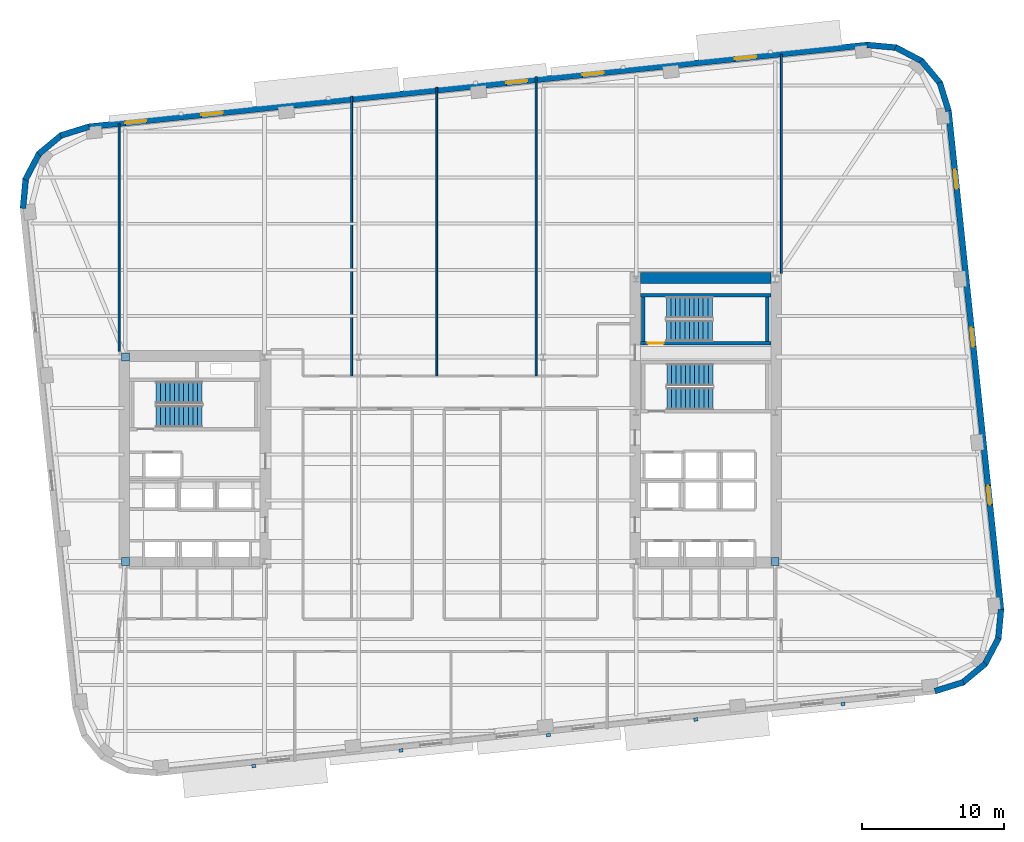
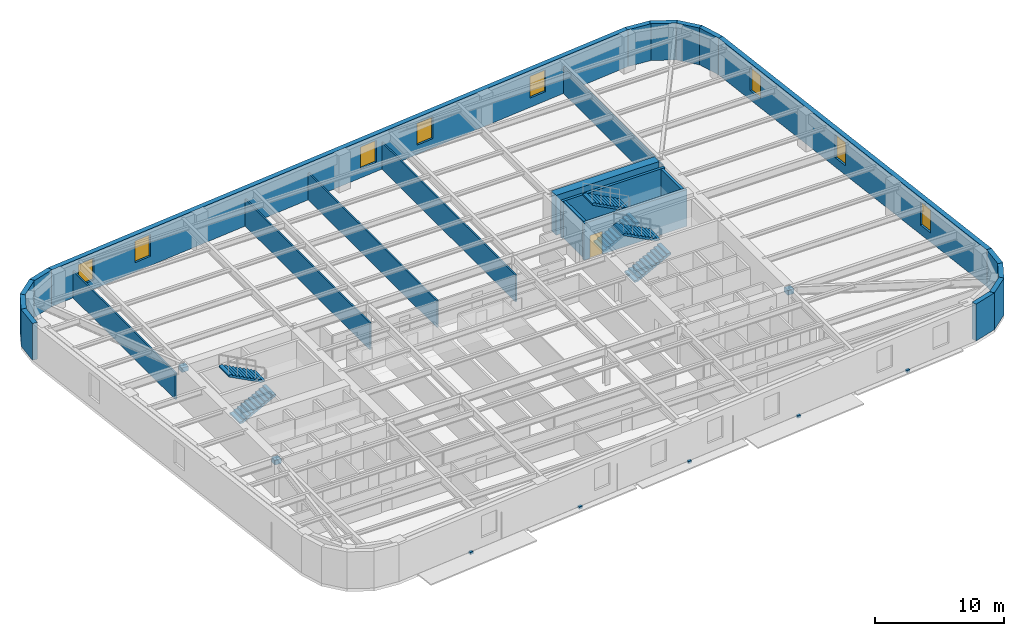
# One storey, part 7 of 13: 24 walls, 8 discrete accessories, 8 windows, 6 stair flights, 1 door, 9 openings, 3 elements without a shape of their own.
"""IFC4 building model written with IfcOpenShell, lengths in metres."""

from ifc_helpers import new_model, si_unit, direction, frame, frame_2d, origin, origin_2d, place, context, subcontext, project, spatial, polyline, rectangle, outline, extrude, material, layer, layer_set, type_object, element, fill, aggregate, save


model = new_model("IFC4")

# Units and contexts
model_context = context("Model", 3, precision=1e-05, world=origin(), true_north=direction((0.0, 1.0)))
body_context = subcontext(model_context, "Body", "Model", "MODEL_VIEW")
ifc_project = project(units=[si_unit("LENGTHUNIT", "METRE"), si_unit("AREAUNIT", "SQUARE_METRE"), si_unit("VOLUMEUNIT", "CUBIC_METRE"), si_unit("PLANEANGLEUNIT", "RADIAN"), si_unit("MASSUNIT", "GRAM", prefix="KILO")], contexts=[model_context])

# Site, building, storey
site_placement = place(None, origin())
site = spatial("IfcSite", under=ifc_project, at=site_placement, CompositionType="ELEMENT")
building_placement = place(site_placement, origin())
building = spatial("IfcBuilding", under=site, at=building_placement, Name="Kolvaren Arena Tower", CompositionType="ELEMENT")
storey_placement = place(building_placement, frame((0.0, 0.0, 114.699951171875)))
storey = spatial("IfcBuildingStorey", under=building, at=storey_placement, Name="L26", CompositionType="ELEMENT", Elevation=114.699951171875)

# Walls
ifc_material_1 = material(Name="Concrete 70 MPa", Category="concrete")
ifc_layer_1 = layer(ifc_material_1, 0.75)
ifc_layer_set_1 = layer_set([ifc_layer_1], Name="Concrete 70 MPa")
wall_type_1 = type_object("IfcWallType", Name="CWALL-750", PredefinedType="SHEAR", material=ifc_layer_set_1)
wall_1_placement = place(storey_placement, frame((50.85009765625, 39.425048828125, -0.27001953125), z_axis=(0.0, 0.0, 1.0), x_axis=(1.0, 0.0, 0.0)))
element("IfcWall", 1, at=wall_1_placement, inside=storey, type_object=wall_type_1, Name="Core Shear Wall EC-NORTH (L26)", PredefinedType="SHEAR", context=body_context, shape_type="SweptSolid", body=[
    extrude(rectangle(XDim=9.199951171875, YDim=0.75, at=frame_2d((4.60009765625, 0.0))), origin(), (0.0, 0.0, 1.0), 3.75),
])
ifc_material_2 = material(Name="Precast concrete C50/60", Category="concrete")
ifc_layer_2 = layer(ifc_material_2, 0.419921875)
ifc_layer_set_2 = layer_set([ifc_layer_2], Name="Precast concrete C50/60")
wall_type_2 = type_object("IfcWallType", Name="EXT-PIER1", PredefinedType="SOLIDWALL", material=ifc_layer_set_2)
for number, where, z_axis, x_axis, name in (
    (2, (73.61328125, 10.93701171875, 0.0), (0.0, 0.0, 1.0), (-0.954993985335, -0.296625164093, 0.0), "Exterior Precast Masonry-Frame Wall (L26)"),
    (3, (75.1611328125, 12.2451171875, 0.0), (0.0, 0.0, 1.0), (-0.768800317178, -0.639488914921, 0.0), "Exterior Precast Masonry-Frame Wall (L26)"),
):
    element("IfcWall", number, at=place(storey_placement, frame(where, z_axis=z_axis, x_axis=x_axis)), inside=storey, type_object=wall_type_2, Name=name, PredefinedType="SOLIDWALL", context=body_context, shape_type="SweptSolid", body=[
        extrude(rectangle(XDim=2.10693359375, YDim=0.419921875, at=frame_2d((1.053466796875, 0.0))), origin(), (0.0, 0.0, 1.0), 3.47998046875),
    ])
wall_2_placement = place(storey_placement, frame((76.0908203125, 14.046142578125, 0.0), z_axis=(0.0, 0.0, 1.0), x_axis=(-0.465655699908, -0.884965970613, 0.0)))
element("IfcWall", 4, at=wall_2_placement, inside=storey, type_object=wall_type_2, Name="Exterior Precast Masonry-Frame Wall (L26)", PredefinedType="SOLIDWALL", context=body_context, shape_type="SweptSolid", body=[
    extrude(rectangle(XDim=2.107177734375, YDim=0.419921875, at=frame_2d((1.0537109375, 0.0))), origin(), (0.0, 0.0, 1.0), 3.47998046875),
])
wall_3_placement = place(storey_placement, frame((76.26025390625, 16.065673828125, 0.0), z_axis=(0.0, 0.0, 1.0), x_axis=(-0.091538655308, -0.995801523691, 0.0)))
element("IfcWall", 5, at=wall_3_placement, inside=storey, type_object=wall_type_2, Name="Exterior Precast Masonry-Frame Wall (L26)", PredefinedType="SOLIDWALL", context=body_context, shape_type="SweptSolid", body=[
    extrude(rectangle(XDim=2.10693359375, YDim=0.419921875, at=frame_2d((1.053466796875, 0.0))), origin(), (0.0, 0.0, 1.0), 3.47998046875),
])

# Wall, openings, windows
wall_4_placement = place(storey_placement, frame((72.560302734375, 51.23046875, 0.0), z_axis=(0.0, 0.0, 1.0), x_axis=(0.1045253859, -0.994522218808, 0.0)))
wall_4 = element("IfcWall", 6, at=wall_4_placement, inside=storey, type_object=wall_type_2, Name="Exterior Precast Masonry-Frame Wall (L26)", PredefinedType="SOLIDWALL", context=body_context, shape_type="SweptSolid", body=[
    extrude(rectangle(XDim=35.39990234375, YDim=0.419921875, at=frame_2d((17.699951171875, 0.0))), origin(), (0.0, 0.0, 1.0), 3.47998046875),
])
opening_1_placement = place(wall_4_placement, frame((4.199951171875, 0.0, 0.8798828125)))
opening_1 = element("IfcOpeningElement", 7, at=opening_1_placement, cuts=wall_4, Name="Opening W04", PredefinedType="OPENING", context=body_context, shape_type="SweptSolid", body=[
    extrude(rectangle(XDim=1.35009765625, YDim=2.199951171875, at=frame_2d((0.675048828125, 1.10009765625))), frame((0.0, 0.219970703125, 0.0), z_axis=(0.0, -1.0, 0.0), x_axis=(1.0, 0.0, 0.0)), (0.0, 0.0, 1.0), 0.43994140625),
])
opening_2_placement = place(wall_4_placement, frame((15.39990234375, 0.0, 0.8798828125)))
opening_2 = element("IfcOpeningElement", 8, at=opening_2_placement, cuts=wall_4, Name="Opening W04", PredefinedType="OPENING", context=body_context, shape_type="SweptSolid", body=[
    extrude(rectangle(XDim=1.35009765625, YDim=2.199951171875, at=frame_2d((0.675048828125, 1.10009765625))), frame((0.0, 0.219970703125, 0.0), z_axis=(0.0, -1.0, 0.0), x_axis=(1.0, 0.0, 0.0)), (0.0, 0.0, 1.0), 0.43994140625),
])
opening_3_placement = place(wall_4_placement, frame((26.60009765625, 0.0, 0.8798828125)))
opening_3 = element("IfcOpeningElement", 9, at=opening_3_placement, cuts=wall_4, Name="Opening W04", PredefinedType="OPENING", context=body_context, shape_type="SweptSolid", body=[
    extrude(rectangle(XDim=1.35009765625, YDim=2.199951171875, at=frame_2d((0.675048828125, 1.10009765625))), frame((0.0, 0.219970703125, 0.0), z_axis=(0.0, -1.0, 0.0), x_axis=(1.0, 0.0, 0.0)), (0.0, 0.0, 1.0), 0.43994140625),
])
ifc_material_3 = material(Name="Triple-glazed curved-facet corner window", Category="glass")
window_type_1 = type_object("IfcWindowType", Name="WIN-CRN-A", PartitioningType="SINGLE_PANEL", PredefinedType="WINDOW", material=ifc_material_3)
window_1_placement = place(opening_1_placement, origin())
window_1 = element("IfcWindow", 10, at=window_1_placement, inside=storey, type_object=window_type_1, Name="End-Wall Punched Window (L26)", OverallHeight=2.199951171875, OverallWidth=1.35009765625, PartitioningType="SINGLE_PANEL", PredefinedType="WINDOW", context=body_context, shape_type="SweptSolid", body=[
    extrude(rectangle(XDim=1.35009765625, YDim=2.199951171875, at=frame_2d((0.675048828125, 1.10009765625))), frame((0.0, 0.030029296875, 0.0), z_axis=(0.0, -1.0, 0.0), x_axis=(1.0, 0.0, 0.0)), (0.0, 0.0, 1.0), 0.06005859375),
])
fill(opening_1, window_1)
window_2_placement = place(opening_2_placement, origin())
window_2 = element("IfcWindow", 11, at=window_2_placement, inside=storey, type_object=window_type_1, Name="End-Wall Punched Window (L26)", OverallHeight=2.199951171875, OverallWidth=1.35009765625, PartitioningType="SINGLE_PANEL", PredefinedType="WINDOW", context=body_context, shape_type="SweptSolid", body=[
    extrude(rectangle(XDim=1.35009765625, YDim=2.199951171875, at=frame_2d((0.675048828125, 1.10009765625))), frame((0.0, 0.030029296875, 0.0), z_axis=(0.0, -1.0, 0.0), x_axis=(1.0, 0.0, 0.0)), (0.0, 0.0, 1.0), 0.06005859375),
])
fill(opening_2, window_2)
window_3_placement = place(opening_3_placement, origin())
window_3 = element("IfcWindow", 12, at=window_3_placement, inside=storey, type_object=window_type_1, Name="End-Wall Punched Window (L26)", OverallHeight=2.199951171875, OverallWidth=1.35009765625, PartitioningType="SINGLE_PANEL", PredefinedType="WINDOW", context=body_context, shape_type="SweptSolid", body=[
    extrude(rectangle(XDim=1.35009765625, YDim=2.199951171875, at=frame_2d((0.675048828125, 1.10009765625))), frame((0.0, 0.030029296875, 0.0), z_axis=(0.0, -1.0, 0.0), x_axis=(1.0, 0.0, 0.0)), (0.0, 0.0, 1.0), 0.06005859375),
])
fill(opening_3, window_3)

# Walls
for number, where, z_axis, x_axis, name in (
    (13, (71.943603515625, 53.202392578125, 0.0), (0.0, 0.0, 1.0), (0.296625164093, -0.954993985335, 0.0), "Exterior Precast Masonry-Frame Wall (L26)"),
    (14, (70.635498046875, 54.750244140625, 0.0), (0.0, 0.0, 1.0), (0.639488914921, -0.768800317178, 0.0), "Exterior Precast Masonry-Frame Wall (L26)"),
    (15, (68.83447265625, 55.6796875, 0.0), (0.0, 0.0, 1.0), (0.885013714693, -0.465564952296, 0.0), "Exterior Precast Masonry-Frame Wall (L26)"),
    (16, (66.81494140625, 55.849365234375, 0.0), (0.0, 0.0, 1.0), (0.995801523691, -0.091538655308, 0.0), "Exterior Precast Masonry-Frame Wall (L26)"),
):
    element("IfcWall", number, at=place(storey_placement, frame(where, z_axis=z_axis, x_axis=x_axis)), inside=storey, type_object=wall_type_2, Name=name, PredefinedType="SOLIDWALL", context=body_context, shape_type="SweptSolid", body=[
        extrude(rectangle(XDim=2.10693359375, YDim=0.419921875, at=frame_2d((1.053466796875, 0.0))), origin(), (0.0, 0.0, 1.0), 3.47998046875),
    ])

# Wall, openings, windows
wall_5_placement = place(storey_placement, frame((11.95849609375, 50.07958984375, 0.0), z_axis=(0.0, 0.0, 1.0), x_axis=(0.994521823388, 0.104529148113, 0.0)))
wall_5 = element("IfcWall", 17, at=wall_5_placement, inside=storey, type_object=wall_type_2, Name="Exterior Precast Masonry-Frame Wall (L26)", PredefinedType="SOLIDWALL", context=body_context, shape_type="SweptSolid", body=[
    extrude(rectangle(XDim=55.2001953125, YDim=0.419921875, at=frame_2d((27.60009765625, 0.0))), origin(), (0.0, 0.0, 1.0), 3.47998046875),
])
opening_4_placement = place(wall_5_placement, frame((2.60009765625, 0.0, 0.8798828125)))
opening_4 = element("IfcOpeningElement", 18, at=opening_4_placement, cuts=wall_5, Name="Opening W03", PredefinedType="OPENING", context=body_context, shape_type="SweptSolid", body=[
    extrude(rectangle(XDim=1.5, YDim=2.050048828125, at=frame_2d((0.75, 1.02490234375))), frame((0.0, 0.219970703125, 0.0), z_axis=(0.0, -1.0, 0.0), x_axis=(1.0, 0.0, 0.0)), (0.0, 0.0, 1.0), 0.43994140625),
])
opening_5_placement = place(wall_5_placement, frame((8.0, 0.0, 0.8798828125)))
opening_5 = element("IfcOpeningElement", 19, at=opening_5_placement, cuts=wall_5, Name="Opening W03", PredefinedType="OPENING", context=body_context, shape_type="SweptSolid", body=[
    extrude(rectangle(XDim=1.5, YDim=2.050048828125, at=frame_2d((0.75, 1.02490234375))), frame((0.0, 0.219970703125, 0.0), z_axis=(0.0, -1.0, 0.0), x_axis=(1.0, 0.0, 0.0)), (0.0, 0.0, 1.0), 0.43994140625),
])
opening_6_placement = place(wall_5_placement, frame((29.60009765625, 0.0, 0.8798828125)))
opening_6 = element("IfcOpeningElement", 20, at=opening_6_placement, cuts=wall_5, Name="Opening W03", PredefinedType="OPENING", context=body_context, shape_type="SweptSolid", body=[
    extrude(rectangle(XDim=1.5, YDim=2.050048828125, at=frame_2d((0.75, 1.02490234375))), frame((0.0, 0.219970703125, 0.0), z_axis=(0.0, -1.0, 0.0), x_axis=(1.0, 0.0, 0.0)), (0.0, 0.0, 1.0), 0.43994140625),
])
opening_7_placement = place(wall_5_placement, frame((35.0, 0.0, 0.8798828125)))
opening_7 = element("IfcOpeningElement", 21, at=opening_7_placement, cuts=wall_5, Name="Opening W03", PredefinedType="OPENING", context=body_context, shape_type="SweptSolid", body=[
    extrude(rectangle(XDim=1.5, YDim=2.050048828125, at=frame_2d((0.75, 1.02490234375))), frame((0.0, 0.219970703125, 0.0), z_axis=(0.0, -1.0, 0.0), x_axis=(1.0, 0.0, 0.0)), (0.0, 0.0, 1.0), 0.43994140625),
])
opening_8_placement = place(wall_5_placement, frame((45.800048828125, 0.0, 0.8798828125)))
opening_8 = element("IfcOpeningElement", 22, at=opening_8_placement, cuts=wall_5, Name="Opening W03", PredefinedType="OPENING", context=body_context, shape_type="SweptSolid", body=[
    extrude(rectangle(XDim=1.5, YDim=2.050048828125, at=frame_2d((0.75, 1.02490234375))), frame((0.0, 0.219970703125, 0.0), z_axis=(0.0, -1.0, 0.0), x_axis=(1.0, 0.0, 0.0)), (0.0, 0.0, 1.0), 0.43994140625),
])
ifc_material_4 = material(Name="Triple-glazed low-E aluminium window", Category="aluminium")
window_type_2 = type_object("IfcWindowType", Name="WIN-OFF-C", PartitioningType="SINGLE_PANEL", PredefinedType="WINDOW", material=ifc_material_4)
window_4_placement = place(opening_4_placement, origin())
window_4 = element("IfcWindow", 23, at=window_4_placement, inside=storey, type_object=window_type_2, Name="Punched Precast-Pier Window (L26)", OverallHeight=2.050048828125, OverallWidth=1.5, PartitioningType="SINGLE_PANEL", PredefinedType="WINDOW", context=body_context, shape_type="SweptSolid", body=[
    extrude(rectangle(XDim=1.5, YDim=2.050048828125, at=frame_2d((0.75, 1.02490234375))), frame((0.0, 0.030029296875, 0.0), z_axis=(0.0, -1.0, 0.0), x_axis=(1.0, 0.0, 0.0)), (0.0, 0.0, 1.0), 0.06005859375),
])
fill(opening_4, window_4)
window_5_placement = place(opening_5_placement, origin())
window_5 = element("IfcWindow", 24, at=window_5_placement, inside=storey, type_object=window_type_2, Name="Punched Precast-Pier Window (L26)", OverallHeight=2.050048828125, OverallWidth=1.5, PartitioningType="SINGLE_PANEL", PredefinedType="WINDOW", context=body_context, shape_type="SweptSolid", body=[
    extrude(rectangle(XDim=1.5, YDim=2.050048828125, at=frame_2d((0.75, 1.02490234375))), frame((0.0, 0.030029296875, 0.0), z_axis=(0.0, -1.0, 0.0), x_axis=(1.0, 0.0, 0.0)), (0.0, 0.0, 1.0), 0.06005859375),
])
fill(opening_5, window_5)
window_6_placement = place(opening_6_placement, origin())
window_6 = element("IfcWindow", 25, at=window_6_placement, inside=storey, type_object=window_type_2, Name="Punched Precast-Pier Window (L26)", OverallHeight=2.050048828125, OverallWidth=1.5, PartitioningType="SINGLE_PANEL", PredefinedType="WINDOW", context=body_context, shape_type="SweptSolid", body=[
    extrude(rectangle(XDim=1.5, YDim=2.050048828125, at=frame_2d((0.75, 1.02490234375))), frame((0.0, 0.030029296875, 0.0), z_axis=(0.0, -1.0, 0.0), x_axis=(1.0, 0.0, 0.0)), (0.0, 0.0, 1.0), 0.06005859375),
])
fill(opening_6, window_6)
window_7_placement = place(opening_7_placement, origin())
window_7 = element("IfcWindow", 26, at=window_7_placement, inside=storey, type_object=window_type_2, Name="Punched Precast-Pier Window (L26)", OverallHeight=2.050048828125, OverallWidth=1.5, PartitioningType="SINGLE_PANEL", PredefinedType="WINDOW", context=body_context, shape_type="SweptSolid", body=[
    extrude(rectangle(XDim=1.5, YDim=2.050048828125, at=frame_2d((0.75, 1.02490234375))), frame((0.0, 0.030029296875, 0.0), z_axis=(0.0, -1.0, 0.0), x_axis=(1.0, 0.0, 0.0)), (0.0, 0.0, 1.0), 0.06005859375),
])
fill(opening_7, window_7)
window_8_placement = place(opening_8_placement, origin())
window_8 = element("IfcWindow", 27, at=window_8_placement, inside=storey, type_object=window_type_2, Name="Punched Precast-Pier Window (L26)", OverallHeight=2.050048828125, OverallWidth=1.5, PartitioningType="SINGLE_PANEL", PredefinedType="WINDOW", context=body_context, shape_type="SweptSolid", body=[
    extrude(rectangle(XDim=1.5, YDim=2.050048828125, at=frame_2d((0.75, 1.02490234375))), frame((0.0, 0.030029296875, 0.0), z_axis=(0.0, -1.0, 0.0), x_axis=(1.0, 0.0, 0.0)), (0.0, 0.0, 1.0), 0.06005859375),
])
fill(opening_8, window_8)

# Walls
wall_6_placement = place(storey_placement, frame((9.98681640625, 49.463134765625, 0.0), z_axis=(0.0, 0.0, 1.0), x_axis=(0.955016613791, 0.296552301261, 0.0)))
element("IfcWall", 28, at=wall_6_placement, inside=storey, type_object=wall_type_2, Name="Exterior Precast Masonry-Frame Wall (L26)", PredefinedType="SOLIDWALL", context=body_context, shape_type="SweptSolid", body=[
    extrude(rectangle(XDim=2.106689453125, YDim=0.419921875, at=frame_2d((1.05322265625, 0.0))), origin(), (0.0, 0.0, 1.0), 3.47998046875),
])
wall_7_placement = place(storey_placement, frame((8.438720703125, 48.15478515625, 0.0), z_axis=(0.0, 0.0, 1.0), x_axis=(0.768800317178, 0.639488914921, 0.0)))
element("IfcWall", 29, at=wall_7_placement, inside=storey, type_object=wall_type_2, Name="Exterior Precast Masonry-Frame Wall (L26)", PredefinedType="SOLIDWALL", context=body_context, shape_type="SweptSolid", body=[
    extrude(rectangle(XDim=2.10693359375, YDim=0.419921875, at=frame_2d((1.053466796875, 0.0))), origin(), (0.0, 0.0, 1.0), 3.47998046875),
])
wall_8_placement = place(storey_placement, frame((7.50927734375, 46.35400390625, 0.0), z_axis=(0.0, 0.0, 1.0), x_axis=(0.465612698516, 0.884988595961, 0.0)))
element("IfcWall", 30, at=wall_8_placement, inside=storey, type_object=wall_type_2, Name="Exterior Precast Masonry-Frame Wall (L26)", PredefinedType="SOLIDWALL", context=body_context, shape_type="SweptSolid", body=[
    extrude(rectangle(XDim=2.106689453125, YDim=0.419921875, at=frame_2d((1.05322265625, 0.0))), origin(), (0.0, 0.0, 1.0), 3.47998046875),
])
wall_9_placement = place(storey_placement, frame((7.339599609375, 44.33447265625, 0.0), z_axis=(0.0, 0.0, 1.0), x_axis=(0.091538655308, 0.995801523691, 0.0)))
element("IfcWall", 31, at=wall_9_placement, inside=storey, type_object=wall_type_2, Name="Exterior Precast Masonry-Frame Wall (L26)", PredefinedType="SOLIDWALL", context=body_context, shape_type="SweptSolid", body=[
    extrude(rectangle(XDim=2.10693359375, YDim=0.419921875, at=frame_2d((1.053466796875, 0.0))), origin(), (0.0, 0.0, 1.0), 3.47998046875),
])
ifc_material_5 = material(Name="Gypsum board partition assembly", Category="gypsum")
ifc_layer_3 = layer(ifc_material_5, 0.135009765625)
ifc_layer_set_3 = layer_set([ifc_layer_3], Name="Gypsum board partition assembly")
wall_type_3 = type_object("IfcWallType", Name="PART-135", PredefinedType="PARTITIONING", material=ifc_layer_set_3)
wall_10_placement = place(storey_placement, frame((30.5, 32.52001953125, 0.0), z_axis=(0.0, 0.0, 1.0), x_axis=(0.0, 1.0, 0.0)))
element("IfcWall", 32, at=wall_10_placement, inside=storey, type_object=wall_type_3, Name="Interior Partition Wall (L26)", PredefinedType="PARTITIONING", context=body_context, shape_type="SweptSolid", body=[
    extrude(rectangle(XDim=19.719482421875, YDim=0.135009765625, at=frame_2d((9.85986328125, 0.0))), origin(), (0.0, 0.0, 1.0), 2.5400390625),
])
wall_11_placement = place(storey_placement, frame((36.5, 32.52001953125, 0.0), z_axis=(0.0, 0.0, 1.0), x_axis=(0.0, 1.0, 0.0)))
element("IfcWall", 33, at=wall_11_placement, inside=storey, type_object=wall_type_3, Name="Interior Partition Wall (L26)", PredefinedType="PARTITIONING", context=body_context, shape_type="SweptSolid", body=[
    extrude(rectangle(XDim=20.35009765625, YDim=0.135009765625, at=frame_2d((10.175048828125, 0.0))), origin(), (0.0, 0.0, 1.0), 2.5400390625),
])
wall_12_placement = place(storey_placement, frame((43.5, 32.52001953125, 0.0), z_axis=(0.0, 0.0, 1.0), x_axis=(0.0, 1.0, 0.0)))
element("IfcWall", 34, at=wall_12_placement, inside=storey, type_object=wall_type_3, Name="Interior Partition Wall (L26)", PredefinedType="PARTITIONING", context=body_context, shape_type="SweptSolid", body=[
    extrude(rectangle(XDim=21.0859375, YDim=0.135009765625, at=frame_2d((10.54296875, 0.0))), origin(), (0.0, 0.0, 1.0), 2.5400390625),
])
wall_13_placement = place(storey_placement, frame((14.1201171875, 34.25, 0.0), z_axis=(0.0, 0.0, 1.0), x_axis=(0.0, 1.0, 0.0)))
element("IfcWall", 35, at=wall_13_placement, inside=storey, type_object=wall_type_3, Name="Interior Partition Wall (L26)", PredefinedType="PARTITIONING", context=body_context, shape_type="SweptSolid", body=[
    extrude(rectangle(XDim=16.026611328125, YDim=0.135009765625, at=frame_2d((8.01318359375, 0.0))), origin(), (0.0, 0.0, 1.0), 2.5400390625),
])
wall_14_placement = place(storey_placement, frame((60.780029296875, 39.75, 0.0), z_axis=(0.0, 0.0, 1.0), x_axis=(0.0, 1.0, 0.0)))
element("IfcWall", 36, at=wall_14_placement, inside=storey, type_object=wall_type_3, Name="Interior Partition Wall (L26)", PredefinedType="PARTITIONING", context=body_context, shape_type="SweptSolid", body=[
    extrude(rectangle(XDim=15.430908203125, YDim=0.135009765625, at=frame_2d((7.71533203125, 0.0))), origin(), (0.0, 0.0, 1.0), 2.5400390625),
])

# Wall, opening, door
ifc_material_6 = material(Name="Concrete 45 MPa", Category="concrete")
ifc_layer_4 = layer(ifc_material_6, 0.25)
ifc_layer_set_4 = layer_set([ifc_layer_4], Name="Concrete 45 MPa")
wall_type_4 = type_object("IfcWallType", Name="SHAFT-250", PredefinedType="SOLIDWALL", material=ifc_layer_set_4)
wall_15_placement = place(storey_placement, frame((60.050048828125, 34.830078125, 0.0), z_axis=(0.0, 0.0, 1.0), x_axis=(-1.0, 0.0, 0.0)))
wall_15 = element("IfcWall", 37, at=wall_15_placement, inside=storey, type_object=wall_type_4, Name="Core Shaft Wall (L26)", PredefinedType="SOLIDWALL", context=body_context, shape_type="SweptSolid", body=[
    extrude(rectangle(XDim=9.199951171875, YDim=0.239990234375, at=frame_2d((4.60009765625, 0.0))), origin(), (0.0, 0.0, 1.0), 3.47998046875),
])
opening_9_placement = place(wall_15_placement, frame((7.570068359375, 0.0, 0.0)))
opening_9 = element("IfcOpeningElement", 38, at=opening_9_placement, cuts=wall_15, Name="Opening D03", PredefinedType="OPENING", context=body_context, shape_type="SweptSolid", body=[
    extrude(rectangle(XDim=1.10009765625, YDim=2.14990234375, at=frame_2d((0.550048828125, 1.074951171875))), frame((0.0, 0.1298828125, 0.0), z_axis=(0.0, -1.0, 0.0), x_axis=(1.0, 0.0, 0.0)), (0.0, 0.0, 1.0), 0.260009765625),
])
ifc_material_7 = material(Name="Fire-rated steel exit stair door", Category="steel")
door_type = type_object("IfcDoorType", Name="DOOR-ST-110", OperationType="NOTDEFINED", PredefinedType="DOOR", material=ifc_material_7)
door_placement = place(opening_9_placement, origin())
door = element("IfcDoor", 39, at=door_placement, inside=storey, type_object=door_type, Name="Stair ST-E2 Fire Door (L26)", OperationType="SINGLE_SWING_LEFT", OverallHeight=2.14990234375, OverallWidth=1.10009765625, PredefinedType="DOOR", context=body_context, shape_type="SweptSolid", body=[
    extrude(rectangle(XDim=1.10009765625, YDim=2.14990234375, at=frame_2d((0.550048828125, 1.074951171875))), frame((0.0, 0.02490234375, 0.0), z_axis=(0.0, -1.0, 0.0), x_axis=(1.0, 0.0, 0.0)), (0.0, 0.0, 1.0), 0.050048828125),
])
fill(opening_9, door)

# Walls
wall_16_placement = place(storey_placement, frame((50.85009765625, 38.219970703125, 0.0), z_axis=(0.0, 0.0, 1.0), x_axis=(1.0, 0.0, 0.0)))
element("IfcWall", 40, at=wall_16_placement, inside=storey, type_object=wall_type_4, Name="Core Shaft Wall (L26)", PredefinedType="SOLIDWALL", context=body_context, shape_type="SweptSolid", body=[
    extrude(rectangle(XDim=9.199951171875, YDim=0.239990234375, at=frame_2d((4.60009765625, 0.0))), origin(), (0.0, 0.0, 1.0), 3.47998046875),
])
for number, where, z_axis, x_axis, name in (
    (41, (51.06005859375, 34.949951171875, 0.0), (0.0, 0.0, 1.0), (0.0, 1.0, 0.0), "Core Shaft Wall (L26)"),
    (42, (59.780029296875, 34.949951171875, 0.0), (0.0, 0.0, 1.0), (0.0, 1.0, 0.0), "Core Shaft Wall (L26)"),
):
    element("IfcWall", number, at=place(storey_placement, frame(where, z_axis=z_axis, x_axis=x_axis)), inside=storey, type_object=wall_type_4, Name=name, PredefinedType="SOLIDWALL", context=body_context, shape_type="SweptSolid", body=[
        extrude(rectangle(XDim=3.150146484375, YDim=0.239990234375, at=frame_2d((1.5751953125, 0.0))), origin(), (0.0, 0.0, 1.0), 3.47998046875),
    ])

# Stair, stair flights
stair_type_1 = type_object("IfcStairType", Name="STAIR-CORE-150", PredefinedType="HALF_TURN_STAIR", material=ifc_material_6)
stair_1_placement = place(storey_placement, origin())
stair_1 = element("IfcStair", 43, at=stair_1_placement, inside=storey, type_object=stair_type_1, Name="L26 ST-E2", PredefinedType="HALF_TURN_STAIR")
stair_flight_type_1 = type_object("IfcStairFlightType", Name="FLT-150", PredefinedType="STRAIGHT", material=ifc_material_6)
stair_flight_1_placement = place(storey_placement, frame((52.679931640625, 35.699951171875, 0.0), z_axis=(0.0, 0.0, 1.0), x_axis=(1.0, 0.0, 0.0)))
stair_flight_1 = element("IfcStairFlight", 44, at=stair_flight_1_placement, type_object=stair_flight_type_1, Name="ST-E2 flight 1", NumberOfRisers=11, NumberOfTreads=10, PredefinedType="STRAIGHT", RiserHeight=0.170454545, TreadLength=0.324, context=body_context, shape_type="SweptSolid", body=[
    extrude(outline(polyline([(0.0, 0.0), (0.0, 0.17041015625), (0.323974609375, 0.17041015625), (0.323974609375, 0.3408203125), (0.64794921875, 0.3408203125), (0.64794921875, 0.511474609375), (0.971923828125, 0.511474609375), (0.971923828125, 0.681884765625), (1.2958984375, 0.681884765625), (1.2958984375, 0.852294921875), (1.6201171875, 0.852294921875), (1.6201171875, 1.022705078125), (1.944091796875, 1.022705078125), (1.944091796875, 1.193115234375), (2.26806640625, 1.193115234375), (2.26806640625, 1.363525390625), (2.592041015625, 1.363525390625), (2.592041015625, 1.5341796875), (2.916015625, 1.5341796875), (2.916015625, 1.70458984375), (3.239990234375, 1.70458984375), (3.239990234375, 1.875), (3.239990234375, 1.53515625), (0.322021484375, 0.0), (0.0, 0.0)])), frame((0.0, 0.75, 0.0), z_axis=(0.0, -1.0, 0.0), x_axis=(1.0, 0.0, 0.0)), (0.0, 0.0, 1.0), 1.5),
])
stair_flight_2_placement = place(storey_placement, frame((55.919921875, 37.35009765625, 1.875), z_axis=(0.0, 0.0, 1.0), x_axis=(-1.0, 0.0, 0.0)))
stair_flight_2 = element("IfcStairFlight", 45, at=stair_flight_2_placement, type_object=stair_flight_type_1, Name="ST-E2 flight 2", NumberOfRisers=11, NumberOfTreads=10, PredefinedType="STRAIGHT", RiserHeight=0.170454545, TreadLength=0.324, context=body_context, shape_type="SweptSolid", body=[
    extrude(outline(polyline([(0.0, 0.0), (0.0, 0.17041015625), (0.323974609375, 0.17041015625), (0.323974609375, 0.3408203125), (0.64794921875, 0.3408203125), (0.64794921875, 0.511474609375), (0.971923828125, 0.511474609375), (0.971923828125, 0.681884765625), (1.2958984375, 0.681884765625), (1.2958984375, 0.852294921875), (1.6201171875, 0.852294921875), (1.6201171875, 1.022705078125), (1.944091796875, 1.022705078125), (1.944091796875, 1.193115234375), (2.26806640625, 1.193115234375), (2.26806640625, 1.363525390625), (2.592041015625, 1.363525390625), (2.592041015625, 1.5341796875), (2.916015625, 1.5341796875), (2.916015625, 1.70458984375), (3.239990234375, 1.70458984375), (3.239990234375, 1.875), (3.239990234375, 1.53515625), (0.322021484375, 0.0), (0.0, 0.0)])), frame((0.0, 0.75, 0.0), z_axis=(0.0, -1.0, 0.0), x_axis=(1.0, 0.0, 0.0)), (0.0, 0.0, 1.0), 1.5),
])
aggregate(stair_1, [stair_flight_1, stair_flight_2])

stair_type_2 = type_object("IfcStairType", Name="STAIR-CORE-165", PredefinedType="HALF_TURN_STAIR", material=ifc_material_6)
stair_2_placement = place(storey_placement, origin())
stair_2 = element("IfcStair", 46, at=stair_2_placement, inside=storey, type_object=stair_type_2, Name="L26 ST-W1", PredefinedType="HALF_TURN_STAIR")
stair_flight_type_2 = type_object("IfcStairFlightType", Name="FLT-165", PredefinedType="STRAIGHT", material=ifc_material_6)
stair_flight_3_placement = place(storey_placement, frame((16.719970703125, 29.669921875, 0.0), z_axis=(0.0, 0.0, 1.0), x_axis=(1.0, 0.0, 0.0)))
stair_flight_3 = element("IfcStairFlight", 47, at=stair_flight_3_placement, type_object=stair_flight_type_2, Name="ST-W1 flight 1", NumberOfRisers=11, NumberOfTreads=10, PredefinedType="STRAIGHT", RiserHeight=0.170454545, TreadLength=0.324, context=body_context, shape_type="SweptSolid", body=[
    extrude(outline(polyline([(0.0, 0.0), (0.0, 0.17041015625), (0.323974609375, 0.17041015625), (0.323974609375, 0.3408203125), (0.64794921875, 0.3408203125), (0.64794921875, 0.511474609375), (0.971923828125, 0.511474609375), (0.971923828125, 0.681884765625), (1.2958984375, 0.681884765625), (1.2958984375, 0.852294921875), (1.6201171875, 0.852294921875), (1.6201171875, 1.022705078125), (1.944091796875, 1.022705078125), (1.944091796875, 1.193115234375), (2.26806640625, 1.193115234375), (2.26806640625, 1.363525390625), (2.592041015625, 1.363525390625), (2.592041015625, 1.5341796875), (2.916015625, 1.5341796875), (2.916015625, 1.70458984375), (3.239990234375, 1.70458984375), (3.239990234375, 1.875), (3.239990234375, 1.53515625), (0.322021484375, 0.0), (0.0, 0.0)])), frame((0.0, 0.77001953125, 0.0), z_axis=(0.0, -1.0, 0.0), x_axis=(1.0, 0.0, 0.0)), (0.0, 0.0, 1.0), 1.5400390625),
])
stair_flight_4_placement = place(storey_placement, frame((19.9599609375, 31.360107421875, 1.875), z_axis=(0.0, 0.0, 1.0), x_axis=(-1.0, 0.0, 0.0)))
stair_flight_4 = element("IfcStairFlight", 48, at=stair_flight_4_placement, type_object=stair_flight_type_2, Name="ST-W1 flight 2", NumberOfRisers=11, NumberOfTreads=10, PredefinedType="STRAIGHT", RiserHeight=0.170454545, TreadLength=0.324, context=body_context, shape_type="SweptSolid", body=[
    extrude(outline(polyline([(0.0, 0.0), (0.0, 0.17041015625), (0.323974609375, 0.17041015625), (0.323974609375, 0.3408203125), (0.64794921875, 0.3408203125), (0.64794921875, 0.511474609375), (0.971923828125, 0.511474609375), (0.971923828125, 0.681884765625), (1.2958984375, 0.681884765625), (1.2958984375, 0.852294921875), (1.6201171875, 0.852294921875), (1.6201171875, 1.022705078125), (1.944091796875, 1.022705078125), (1.944091796875, 1.193115234375), (2.26806640625, 1.193115234375), (2.26806640625, 1.363525390625), (2.592041015625, 1.363525390625), (2.592041015625, 1.5341796875), (2.916015625, 1.5341796875), (2.916015625, 1.70458984375), (3.239990234375, 1.70458984375), (3.239990234375, 1.875), (3.239990234375, 1.53515625), (0.322021484375, 0.0), (0.0, 0.0)])), frame((0.0, 0.77001953125, 0.0), z_axis=(0.0, -1.0, 0.0), x_axis=(1.0, 0.0, 0.0)), (0.0, 0.0, 1.0), 1.5400390625),
])
aggregate(stair_2, [stair_flight_3, stair_flight_4])

stair_3_placement = place(storey_placement, origin())
stair_3 = element("IfcStair", 49, at=stair_3_placement, inside=storey, type_object=stair_type_2, Name="L26 ST-E1", PredefinedType="HALF_TURN_STAIR")
stair_flight_5_placement = place(storey_placement, frame((52.719970703125, 30.919921875, 0.0), z_axis=(0.0, 0.0, 1.0), x_axis=(1.0, 0.0, 0.0)))
stair_flight_5 = element("IfcStairFlight", 50, at=stair_flight_5_placement, type_object=stair_flight_type_2, Name="ST-E1 flight 1", NumberOfRisers=11, NumberOfTreads=10, PredefinedType="STRAIGHT", RiserHeight=0.170454545, TreadLength=0.324, context=body_context, shape_type="SweptSolid", body=[
    extrude(outline(polyline([(0.0, 0.0), (0.0, 0.17041015625), (0.323974609375, 0.17041015625), (0.323974609375, 0.3408203125), (0.64794921875, 0.3408203125), (0.64794921875, 0.511474609375), (0.971923828125, 0.511474609375), (0.971923828125, 0.681884765625), (1.2958984375, 0.681884765625), (1.2958984375, 0.852294921875), (1.6201171875, 0.852294921875), (1.6201171875, 1.022705078125), (1.944091796875, 1.022705078125), (1.944091796875, 1.193115234375), (2.26806640625, 1.193115234375), (2.26806640625, 1.363525390625), (2.592041015625, 1.363525390625), (2.592041015625, 1.5341796875), (2.916015625, 1.5341796875), (2.916015625, 1.70458984375), (3.239990234375, 1.70458984375), (3.239990234375, 1.875), (3.239990234375, 1.53515625), (0.322021484375, 0.0), (0.0, 0.0)])), frame((0.0, 0.77001953125, 0.0), z_axis=(0.0, -1.0, 0.0), x_axis=(1.0, 0.0, 0.0)), (0.0, 0.0, 1.0), 1.5400390625),
])
stair_flight_6_placement = place(storey_placement, frame((55.9599609375, 32.610107421875, 1.875), z_axis=(0.0, 0.0, 1.0), x_axis=(-1.0, 0.0, 0.0)))
stair_flight_6 = element("IfcStairFlight", 51, at=stair_flight_6_placement, type_object=stair_flight_type_2, Name="ST-E1 flight 2", NumberOfRisers=11, NumberOfTreads=10, PredefinedType="STRAIGHT", RiserHeight=0.170454545, TreadLength=0.324, context=body_context, shape_type="SweptSolid", body=[
    extrude(outline(polyline([(0.0, 0.0), (0.0, 0.17041015625), (0.323974609375, 0.17041015625), (0.323974609375, 0.3408203125), (0.64794921875, 0.3408203125), (0.64794921875, 0.511474609375), (0.971923828125, 0.511474609375), (0.971923828125, 0.681884765625), (1.2958984375, 0.681884765625), (1.2958984375, 0.852294921875), (1.6201171875, 0.852294921875), (1.6201171875, 1.022705078125), (1.944091796875, 1.022705078125), (1.944091796875, 1.193115234375), (2.26806640625, 1.193115234375), (2.26806640625, 1.363525390625), (2.592041015625, 1.363525390625), (2.592041015625, 1.5341796875), (2.916015625, 1.5341796875), (2.916015625, 1.70458984375), (3.239990234375, 1.70458984375), (3.239990234375, 1.875), (3.239990234375, 1.53515625), (0.322021484375, 0.0), (0.0, 0.0)])), frame((0.0, 0.77001953125, 0.0), z_axis=(0.0, -1.0, 0.0), x_axis=(1.0, 0.0, 0.0)), (0.0, 0.0, 1.0), 1.5400390625),
])
aggregate(stair_3, [stair_flight_5, stair_flight_6])

# Discrete accessories
ifc_material_8 = material(Name="Stainless steel facade support bracket", Category="steel")
discrete_accessory_type_1 = type_object("IfcDiscreteAccessoryType", Name="ACC-BRKT-1", PredefinedType="BRACKET", material=ifc_material_8)
for number, where, z_axis, x_axis, name in (
    (52, (65.131591796875, 9.40478515625, -0.18017578125), (0.0, 0.0, 1.0), (-0.994522077803, -0.104526727499, 0.0), "Sunshade Support Bracket (L26)"),
    (53, (54.748779296875, 8.313720703125, -0.18017578125), (0.0, 0.0, 1.0), (-0.994522077803, -0.104526727499, 0.0), "Sunshade Support Bracket (L26)"),
    (54, (44.365966796875, 7.222412109375, -0.18017578125), (0.0, 0.0, 1.0), (-0.994522077803, -0.104526727499, 0.0), "Sunshade Support Bracket (L26)"),
    (55, (33.983154296875, 6.131103515625, -0.18017578125), (0.0, 0.0, 1.0), (-0.994522077803, -0.104526727499, 0.0), "Sunshade Support Bracket (L26)"),
    (56, (23.600341796875, 5.039794921875, -0.18017578125), (0.0, 0.0, 1.0), (-0.994522077803, -0.104526727499, 0.0), "Sunshade Support Bracket (L26)"),
):
    element("IfcDiscreteAccessory", number, at=place(storey_placement, frame(where, z_axis=z_axis, x_axis=x_axis)), inside=storey, type_object=discrete_accessory_type_1, Name=name, PredefinedType="BRACKET", context=body_context, shape_type="SweptSolid", body=[
        extrude(rectangle(XDim=0.280029296875, YDim=0.239990234375, at=origin_2d()), origin(), (0.0, 0.0, 1.0), 0.239990234375),
    ])
ifc_material_9 = material(Name="Steel CSA G40.21 350W bolted gusset connection", Category="steel")
discrete_accessory_type_2 = type_object("IfcDiscreteAccessoryType", Name="ACC-CONN-1", PredefinedType="BRACKET", material=ifc_material_9)
for number, where, z_axis, x_axis, name in (
    (57, (60.35009765625, 19.449951171875, 2.87353515625), (0.0, 0.0, 1.0), (1.0, 0.0, 0.0), "Core Wall Cast-In Embed Plate EP1 (L26)"),
    (58, (14.550048828125, 33.85009765625, 2.87353515625), (0.0, 0.0, 1.0), (1.0, 0.0, 0.0), "Core Wall Cast-In Embed Plate EP1 (L26)"),
    (59, (14.550048828125, 19.449951171875, 2.87353515625), (0.0, 0.0, 1.0), (1.0, 0.0, 0.0), "Core Wall Cast-In Embed Plate EP1 (L26)"),
):
    element("IfcDiscreteAccessory", number, at=place(storey_placement, frame(where, z_axis=z_axis, x_axis=x_axis)), inside=storey, type_object=discrete_accessory_type_2, Name=name, PredefinedType="BRACKET", context=body_context, shape_type="SweptSolid", body=[
        extrude(rectangle(XDim=0.56005859375, YDim=0.56005859375, at=origin_2d()), origin(), (0.0, 0.0, 1.0), 0.43994140625),
    ])

save(model, "model.ifc")
